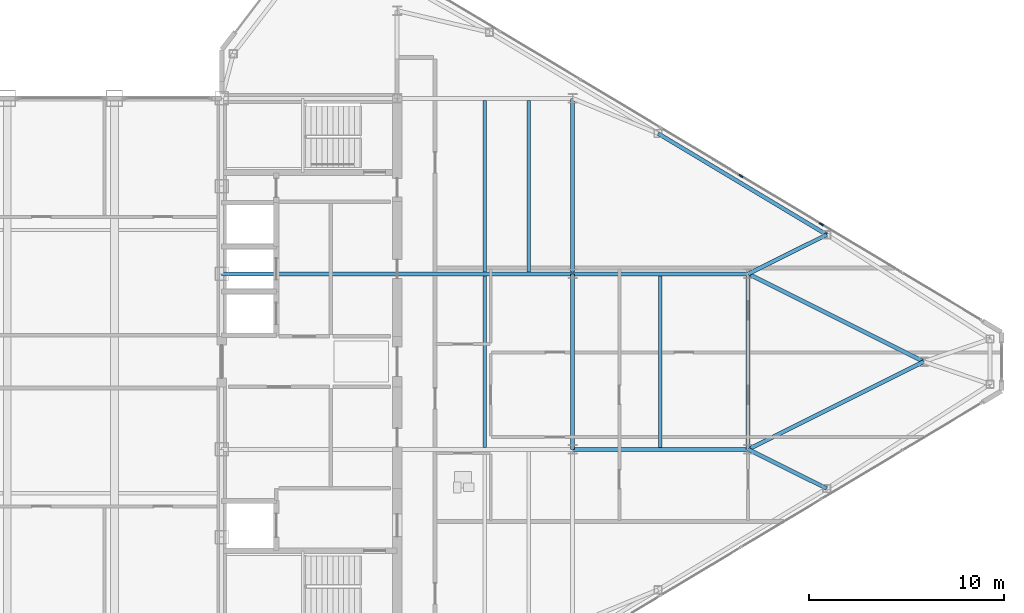
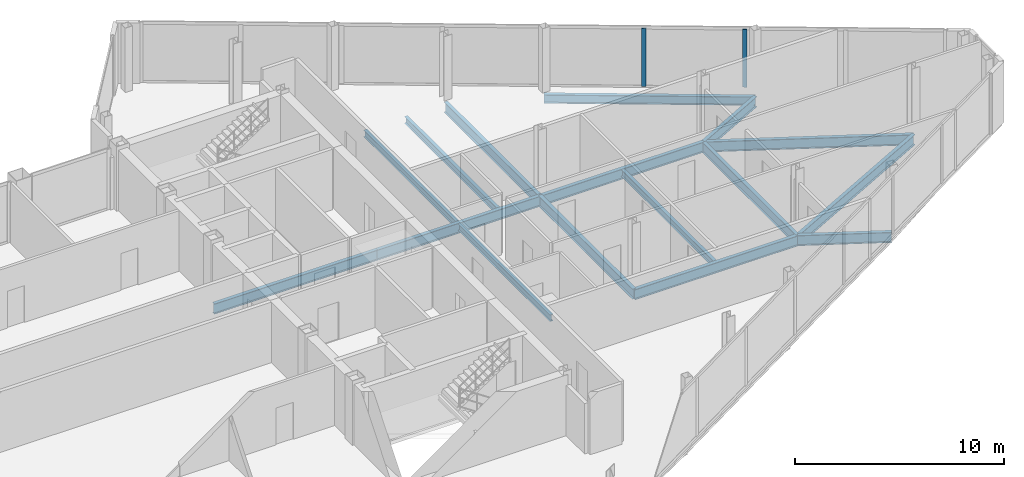
# One storey, part 15 of 29: 16 beams, 2 members, 1 element without a shape of its own.
"""IFC4 building model written with IfcOpenShell, lengths in metres."""

from ifc_helpers import new_model, si_unit, direction, frame, origin, origin_2d, place, context, subcontext, project, spatial, rectangle, i_section, extrude, source, transform, mapped, material, layer, layer_set, material_profile, profile_set, type_object, type_shapes, element, aggregate, save


model = new_model("IFC4")

# Units and contexts
model_context = context("Model", 3, precision=1e-05, world=origin(), true_north=direction((0.0, 1.0)))
body_context = subcontext(model_context, "Body", "Model", "MODEL_VIEW")
ifc_project = project(units=[si_unit("LENGTHUNIT", "METRE"), si_unit("AREAUNIT", "SQUARE_METRE"), si_unit("VOLUMEUNIT", "CUBIC_METRE"), si_unit("PLANEANGLEUNIT", "RADIAN"), si_unit("MASSUNIT", "GRAM", prefix="KILO")], contexts=[model_context])

# Site, building, storey
site_placement = place(None, origin())
site = spatial("IfcSite", under=ifc_project, at=site_placement, CompositionType="ELEMENT")
building_placement = place(site_placement, origin())
building = spatial("IfcBuilding", under=site, at=building_placement, Name="Seokmaru Belvedere", CompositionType="ELEMENT")
storey_placement = place(building_placement, frame((0.0, 0.0, 246.89990234375)))
storey = spatial("IfcBuildingStorey", under=building, at=storey_placement, Name="L65", CompositionType="ELEMENT", Elevation=246.89990234375)

# Beams
ifc_material_1 = material(Name="Steel SM355 (355 MPa)", Category="steel")
ifc_material_profile_1 = material_profile(ifc_material_1, i_section(OverallWidth=0.199951171875, OverallDepth=0.60009765625, WebThickness=0.010986328125, FlangeThickness=0.01708984375, at=origin_2d()), Name="H-600x200x11x17")
ifc_profile_set_1 = profile_set([ifc_material_profile_1], Name="Steel SM355 (355 MPa)")
beam_type_1 = type_object("IfcBeamType", Name="Primary Floor Girder H-600", PredefinedType="BEAM", material=ifc_profile_set_1)
shared_shape_1 = source(origin(), body_context, "Body", "SweptSolid", [
    extrude(i_section(OverallWidth=0.199951171875, OverallDepth=0.60009765625, WebThickness=0.010986328125, FlangeThickness=0.01708984375, at=origin_2d()), origin(), (0.0, 0.0, 1.0), 9.0),
])
for number, where, z_axis, x_axis, name in (
    (1, (45.5, -4.5, -0.52001953125), (0.0, 1.0, 0.0), (-1.0, 0.0, 0.0), "L65 E Interior Grid Girder 2"),
    (2, (45.5, 4.5, -0.52001953125), (0.0, 1.0, 0.0), (-1.0, 0.0, 0.0), "L65 E Interior Grid Girder 3"),
    (3, (27.5, 4.5, -0.52001953125), (1.0, 0.0, 0.0), (0.0, 1.0, 0.0), "L65 E Core Tie Girder 3"),
    (4, (36.5, 4.5, -0.52001953125), (1.0, 0.0, 0.0), (0.0, 1.0, 0.0), "L65 E Wing Primary Girder 3"),
    (5, (45.5, -4.5, -0.52001953125), (1.0, 0.0, 0.0), (0.0, 1.0, 0.0), "L65 E Outer Wing Girder 1"),
    (6, (45.5, 4.5, -0.52001953125), (1.0, 0.0, 0.0), (0.0, 1.0, 0.0), "L65 E Outer Wing Girder 2"),
    (7, (54.5, -4.5, -0.52001953125), (0.0, 1.0, 0.0), (-1.0, 0.0, 0.0), "L65 E Apex Frame Girder"),
):
    element("IfcBeam", number, at=place(storey_placement, frame(where, z_axis=z_axis, x_axis=x_axis)), inside=storey, type_object=beam_type_1, Name=name, PredefinedType="BEAM", context=body_context, shape_type="MappedRepresentation", body=[
        mapped(shared_shape_1, transform((0.0, 0.0, 0.0), scale=1.0)),
    ])
shared_shape_2 = source(origin(), body_context, "Body", "SweptSolid", [
    extrude(i_section(OverallWidth=0.199951171875, OverallDepth=0.60009765625, WebThickness=0.010986328125, FlangeThickness=0.01708984375, at=origin_2d()), origin(), (0.0, 0.0, 1.0), 10.062255859375),
])
for number, where, z_axis, x_axis, name in (
    (8, (54.5, -4.5, -0.52001953125), (0.894427191, 0.4472135955, 0.0), (-0.4472135955, 0.894427191, 0.0), "L65 E Apex Converging Girder 1"),
    (9, (54.5, 4.5, -0.52001953125), (0.894427191, -0.4472135955, 0.0), (0.4472135955, 0.894427191, 0.0), "L65 E Apex Converging Girder 2"),
):
    element("IfcBeam", number, at=place(storey_placement, frame(where, z_axis=z_axis, x_axis=x_axis)), inside=storey, type_object=beam_type_1, Name=name, PredefinedType="BEAM", context=body_context, shape_type="MappedRepresentation", body=[
        mapped(shared_shape_2, transform((0.0, 0.0, 0.0), scale=1.0)),
    ])
ifc_material_profile_2 = material_profile(ifc_material_1, i_section(OverallWidth=0.18505859375, OverallDepth=0.389892578125, WebThickness=0.008056640625, FlangeThickness=0.011962890625, at=origin_2d()), Name="H-390x185x8x12")
ifc_profile_set_2 = profile_set([ifc_material_profile_2], Name="Steel SM355 (355 MPa)")
beam_type_2 = type_object("IfcBeamType", Name="Secondary Floor Joist H-350", PredefinedType="JOIST", material=ifc_profile_set_2)
shared_shape_3 = source(origin(), body_context, "Body", "SweptSolid", [
    extrude(i_section(OverallWidth=0.18505859375, OverallDepth=0.389892578125, WebThickness=0.008056640625, FlangeThickness=0.011962890625, at=origin_2d()), origin(), (0.0, 0.0, 1.0), 8.7900390625),
])
type_shapes(beam_type_2, [shared_shape_3])
for number, where, z_axis, x_axis, name in (
    (10, (43.25, 4.60498046875, -0.414794921875), (0.0, 1.0, 0.0), (-1.0, 0.0, 0.0), "L65 E Wing Inner Secondary Joist 2"),
    (11, (41.0, -4.39501953125, -0.414794921875), (0.0, 1.0, 0.0), (-1.0, 0.0, 0.0), "L65 E Secondary Floor Joist 2"),
    (12, (41.0, 4.60498046875, -0.414794921875), (0.0, 1.0, 0.0), (-1.0, 0.0, 0.0), "L65 E Secondary Floor Joist 3"),
    (13, (50.0, -4.39501953125, -0.414794921875), (0.0, 1.0, 0.0), (-1.0, 0.0, 0.0), "L65 E Outer Bay Secondary Joist"),
):
    element("IfcBeam", number, at=place(storey_placement, frame(where, z_axis=z_axis, x_axis=x_axis)), inside=storey, type_object=beam_type_2, Name=name, PredefinedType="JOIST", context=body_context, shape_type="MappedRepresentation", body=[
        mapped(shared_shape_3, transform((0.0, 0.0, 0.0), scale=1.0)),
    ])
ifc_material_profile_3 = material_profile(ifc_material_1, i_section(OverallWidth=0.199951171875, OverallDepth=0.5, WebThickness=0.010009765625, FlangeThickness=0.01611328125, at=origin_2d()), Name="H-500x200x10x16")
ifc_profile_set_3 = profile_set([ifc_material_profile_3], Name="Steel SM355 (355 MPa)")
beam_type_3 = type_object("IfcBeamType", Name="Perimeter Spandrel Beam H-500", PredefinedType="SPANDREL", material=ifc_profile_set_3)
shared_shape_4 = source(origin(), body_context, "Body", "SweptSolid", [
    extrude(i_section(OverallWidth=0.199951171875, OverallDepth=0.5, WebThickness=0.010009765625, FlangeThickness=0.01611328125, at=origin_2d()), origin(), (0.0, 0.0, 1.0), 10.087646484375),
])
type_shapes(beam_type_3, [shared_shape_4])
beam_placement = place(storey_placement, frame((49.8798828125, 11.698974609375, -0.469970703125), z_axis=(0.857488654804, -0.514502873542, 0.0), x_axis=(0.514502873542, 0.857488654804, 0.0)))
element("IfcBeam", 14, at=beam_placement, inside=storey, type_object=beam_type_3, Name="L65 E Faceted Flank Spandrel N-3", PredefinedType="SPANDREL", context=body_context, shape_type="MappedRepresentation", body=[
    mapped(shared_shape_4, transform((0.0, 0.0, 0.0), scale=1.0)),
])
shared_shape_5 = source(origin(), body_context, "Body", "SweptSolid", [
    extrude(i_section(OverallWidth=0.199951171875, OverallDepth=0.60009765625, WebThickness=0.010986328125, FlangeThickness=0.01708984375, at=origin_2d()), origin(), (0.0, 0.0, 1.0), 4.5029296875),
])
type_shapes(beam_type_1, [shared_shape_1, shared_shape_2, shared_shape_5])
for number, where, z_axis, x_axis, name in (
    (15, (58.530029296875, -6.5087890625, -0.52001953125), (-0.894979532585, 0.446107202648, 0.0), (-0.446107202648, -0.894979532585, 0.0), "L65 E Flank Radial Floor Girder S-3"),
    (16, (58.530029296875, 6.5087890625, -0.52001953125), (-0.894979532585, -0.446107202648, 0.0), (0.446107202648, -0.894979532585, 0.0), "L65 E Flank Radial Floor Girder N-3"),
):
    element("IfcBeam", number, at=place(storey_placement, frame(where, z_axis=z_axis, x_axis=x_axis)), inside=storey, type_object=beam_type_1, Name=name, PredefinedType="BEAM", context=body_context, shape_type="MappedRepresentation", body=[
        mapped(shared_shape_5, transform((0.0, 0.0, 0.0), scale=1.0)),
    ])

# Curtain wall, members
ifc_material_2 = material(Name="Bronze Triple Insulating Glass", Category="glass")
ifc_layer = layer(ifc_material_2, 0.219970703125)
ifc_layer_set = layer_set([ifc_layer], Name="Bronze Triple Insulating Glass")
curtain_wall_type = type_object("IfcCurtainWallType", Name="Sky-Gate Bridge Panorama Curtain Wall System CW-6", PredefinedType="NOTDEFINED", material=ifc_layer_set)
curtain_wall_placement = place(storey_placement, origin())
curtain_wall = element("IfcCurtainWall", 17, at=curtain_wall_placement, inside=storey, type_object=curtain_wall_type, Name="L65 Curtain Wall EF3", PredefinedType="NOTDEFINED")
ifc_material_3 = material(Name="Anodised Bronze Aluminium", Category="aluminium")
ifc_material_profile_4 = material_profile(ifc_material_3, rectangle(XDim=0.080078125, YDim=0.219970703125, at=origin_2d()), Name="CW-M-80x220")
ifc_profile_set_4 = profile_set([ifc_material_profile_4], Name="Anodised Bronze Aluminium")
member_type = type_object("IfcMemberType", Name="Bronze Unitised Mullion 80x220", PredefinedType="MULLION", material=ifc_profile_set_4)
shared_shape_6 = source(origin(), body_context, "Body", "SweptSolid", [
    extrude(rectangle(XDim=0.080078125, YDim=0.219970703125, at=origin_2d()), origin(), (0.0, 0.0, 1.0), 3.3798828125),
])
type_shapes(member_type, [shared_shape_6])
member_1_placement = place(storey_placement, frame((58.257080078125, 7.0458984375, 0.0751953125), z_axis=(0.0, 0.0, 1.0), x_axis=(-0.514494909364, -0.85749343335, 0.0)))
member_1 = element("IfcMember", 18, at=member_1_placement, type_object=member_type, Name="CW:L65:EF3 Mullion 3", PredefinedType="MULLION", context=body_context, shape_type="MappedRepresentation", body=[
    mapped(shared_shape_6, transform((0.0, 0.0, 0.0), scale=1.0)),
])
member_2_placement = place(storey_placement, frame((54.12841796875, 9.52294921875, 0.0751953125), z_axis=(0.0, 0.0, 1.0), x_axis=(-0.514494909364, -0.85749343335, 0.0)))
member_2 = element("IfcMember", 19, at=member_2_placement, type_object=member_type, Name="CW:L65:EF3 Mullion 4", PredefinedType="MULLION", context=body_context, shape_type="MappedRepresentation", body=[
    mapped(shared_shape_6, transform((0.0, 0.0, 0.0), scale=1.0)),
])
aggregate(curtain_wall, [member_1, member_2])

save(model, "model.ifc")
